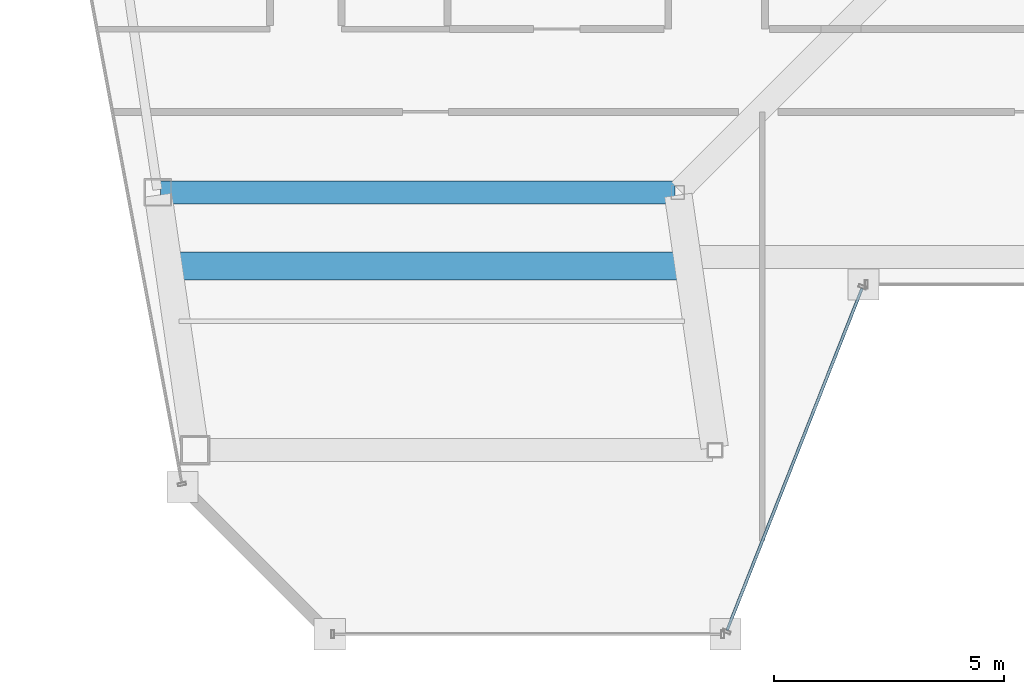
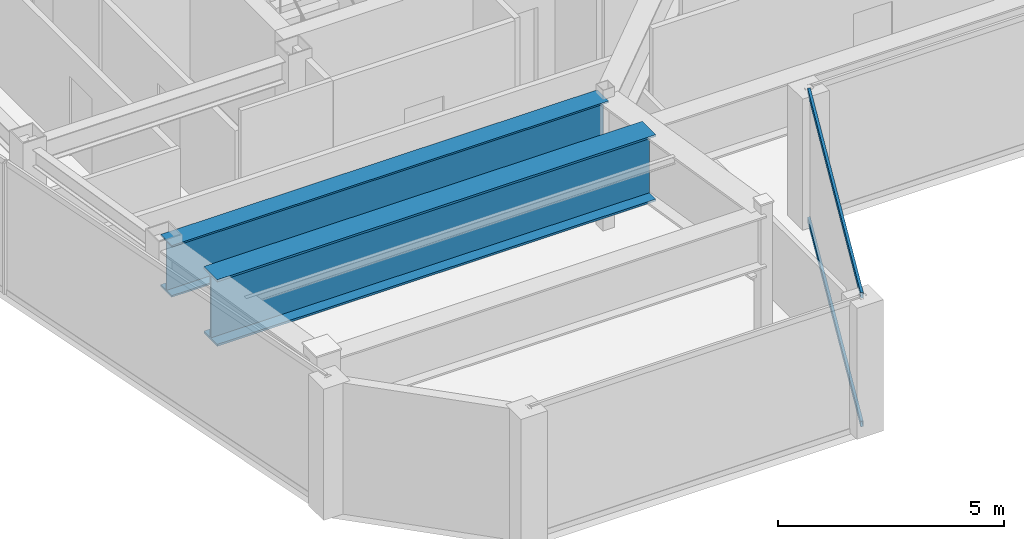
# One storey, part 6 of 23: 2 beams, 2 members, 1 element without a shape of its own.
"""IFC4 building model written with IfcOpenShell, lengths in metres."""

from ifc_helpers import new_model, si_unit, direction, frame, origin, origin_2d, place, context, subcontext, project, spatial, hollow_rectangle, i_section, extrude, material, material_profile, profile_set, type_object, element, aggregate, save


model = new_model("IFC4")

# Units and contexts
model_context = context("Model", 3, precision=1e-05, world=origin(), true_north=direction((0.0, 1.0)))
body_context = subcontext(model_context, "Body", "Model", "MODEL_VIEW")
ifc_project = project(units=[si_unit("LENGTHUNIT", "METRE"), si_unit("AREAUNIT", "SQUARE_METRE"), si_unit("VOLUMEUNIT", "CUBIC_METRE"), si_unit("PLANEANGLEUNIT", "RADIAN"), si_unit("MASSUNIT", "GRAM", prefix="KILO")], contexts=[model_context])

# Site, building, storey
site_placement = place(None, origin())
site = spatial("IfcSite", under=ifc_project, at=site_placement, CompositionType="ELEMENT")
building_placement = place(site_placement, origin())
building = spatial("IfcBuilding", under=site, at=building_placement, Name="Saevonmaru Cultural Tower", CompositionType="ELEMENT")
storey_placement = place(building_placement, frame((0.0, 0.0, 291.39990234375)))
storey = spatial("IfcBuildingStorey", under=building, at=storey_placement, Name="L69", CompositionType="ELEMENT", Elevation=291.39990234375)

# Beams
ifc_material_1 = material(Name="Steel HSA600 (600 MPa)", Category="steel")
ifc_material_profile_1 = material_profile(ifc_material_1, i_section(OverallWidth=0.5, OverallDepth=1.39990234375, WebThickness=0.02392578125, FlangeThickness=0.044921875, at=origin_2d()), Name="PG-1400x500x24x45")
ifc_profile_set_1 = profile_set([ifc_material_profile_1], Name="Steel HSA600 (600 MPa)")
beam_type_1 = type_object("IfcBeamType", Name="BM-TG-PG1400", PredefinedType="BEAM", material=ifc_profile_set_1)
beam_1_placement = place(storey_placement, frame((7.568115234375, 37.60009765625, 2.85009765625), z_axis=(1.0, 0.0, 0.0), x_axis=(0.0, 1.0, 0.0)))
element("IfcBeam", 1, at=beam_1_placement, inside=storey, type_object=beam_type_1, Name="L69 West Wing Transverse Girder 2", PredefinedType="BEAM", context=body_context, shape_type="SweptSolid", body=[
    extrude(i_section(OverallWidth=0.5, OverallDepth=1.39990234375, WebThickness=0.02392578125, FlangeThickness=0.044921875, at=origin_2d()), origin(), (0.0, 0.0, 1.0), 11.179931640625),
])
ifc_material_profile_2 = material_profile(ifc_material_1, i_section(OverallWidth=0.60009765625, OverallDepth=1.800048828125, WebThickness=0.028076171875, FlangeThickness=0.054931640625, at=origin_2d()), Name="PG-1800x600x28x55")
ifc_profile_set_2 = profile_set([ifc_material_profile_2], Name="Steel HSA600 (600 MPa)")
beam_type_2 = type_object("IfcBeamType", Name="BM-TG-PG1800", PredefinedType="BEAM", material=ifc_profile_set_2)
beam_2_placement = place(storey_placement, frame((7.779052734375, 36.0, 2.650146484375), z_axis=(1.0, 0.0, 0.0), x_axis=(0.0, 1.0, 0.0)))
element("IfcBeam", 2, at=beam_2_placement, inside=storey, type_object=beam_type_2, Name="L69 Setback Transfer Plate Girder West", PredefinedType="BEAM", context=body_context, shape_type="SweptSolid", body=[
    extrude(i_section(OverallWidth=0.60009765625, OverallDepth=1.800048828125, WebThickness=0.028076171875, FlangeThickness=0.054931640625, at=origin_2d()), origin(), (0.0, 0.0, 1.0), 11.219970703125),
])

# Curtain wall, members
ifc_material_2 = material(Name="Satin Bronze Anodised Aluminium", Category="aluminium")
curtain_wall_type = type_object("IfcCurtainWallType", Name="CW-TYP-B", PredefinedType="NOTDEFINED", material=ifc_material_2)
curtain_wall_placement = place(storey_placement, origin())
curtain_wall = element("IfcCurtainWall", 3, at=curtain_wall_placement, inside=storey, type_object=curtain_wall_type, Name="L69 Unitised Curtain Wall E3", PredefinedType="NOTDEFINED")
ifc_material_profile_3 = material_profile(ifc_material_2, hollow_rectangle(XDim=0.06494140625, YDim=0.14990234375, WallThickness=0.00390625, at=origin_2d()), Name="ALU-TRAN-150x65x4")
ifc_profile_set_3 = profile_set([ifc_material_profile_3], Name="Satin Bronze Anodised Aluminium")
member_type = type_object("IfcMemberType", Name="TR-CW-150x65", PredefinedType="USERDEFINED", material=ifc_profile_set_3)
member_1_placement = place(storey_placement, frame((19.87841796875, 28.0859375, 0.03271484375), z_axis=(0.367170015072, 0.930153847507, 0.0), x_axis=(-0.930153847507, 0.367170015072, 0.0)))
member_1 = element("IfcMember", 4, at=member_1_placement, type_object=member_type, Name="CW-TW-L69-E3 transom 1.1", ObjectType="TRANSOM", PredefinedType="USERDEFINED", context=body_context, shape_type="SweptSolid", body=[
    extrude(hollow_rectangle(XDim=0.06494140625, YDim=0.14990234375, WallThickness=0.00390625, at=origin_2d()), origin(), (0.0, 0.0, 1.0), 7.98583984375),
])
member_2_placement = place(storey_placement, frame((19.87841796875, 28.0859375, 3.517578125), z_axis=(0.367170015072, 0.930153847507, 0.0), x_axis=(-0.930153847507, 0.367170015072, 0.0)))
member_2 = element("IfcMember", 5, at=member_2_placement, type_object=member_type, Name="CW-TW-L69-E3 transom 1.2", ObjectType="TRANSOM", PredefinedType="USERDEFINED", context=body_context, shape_type="SweptSolid", body=[
    extrude(hollow_rectangle(XDim=0.06494140625, YDim=0.14990234375, WallThickness=0.00390625, at=origin_2d()), origin(), (0.0, 0.0, 1.0), 7.98583984375),
])
aggregate(curtain_wall, [member_1, member_2])

save(model, "model.ifc")
